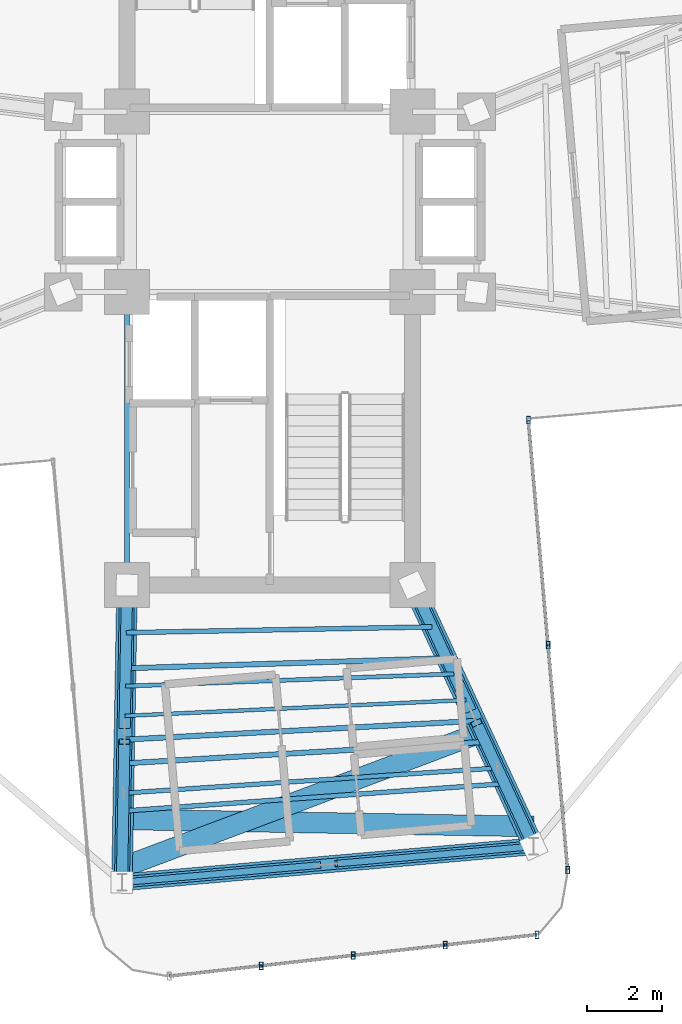
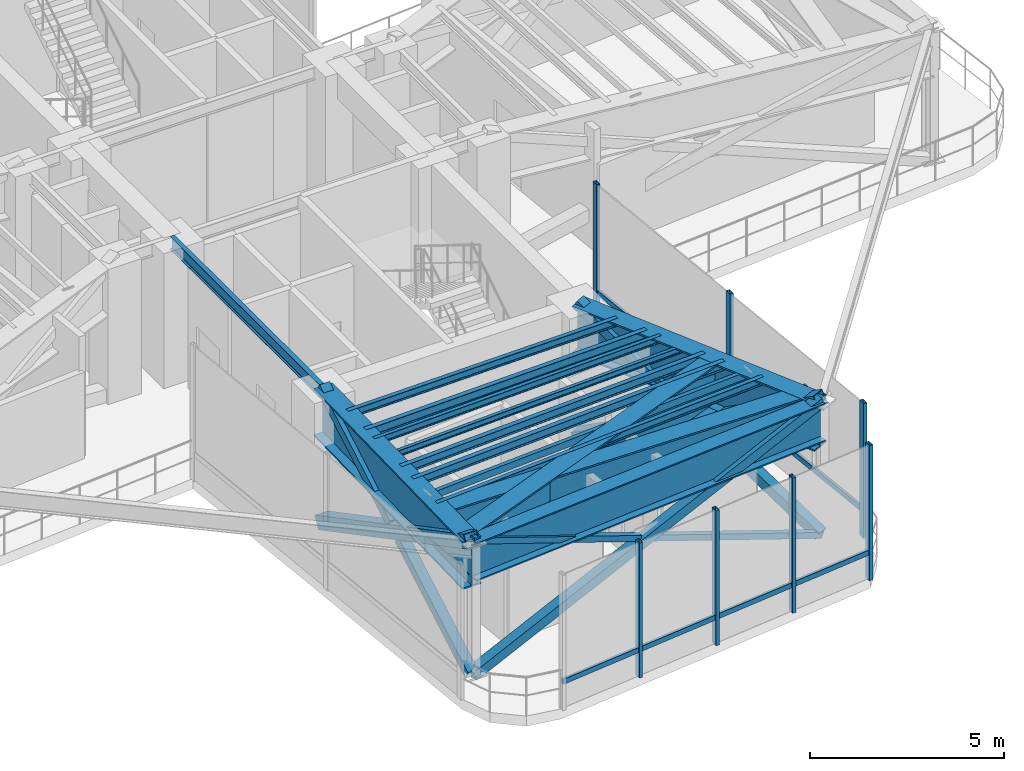
# One storey, part 4 of 17: 22 members, 14 beams, 2 elements without a shape of their own.
"""IFC4 building model written with IfcOpenShell, lengths in metres."""

from ifc_helpers import new_model, si_unit, direction, frame, origin, origin_2d, place, context, subcontext, project, spatial, hollow_rectangle, i_section, extrude, source, transform, mapped, material, material_profile, profile_set, type_object, element, aggregate, save


model = new_model("IFC4")

# Units and contexts
model_context = context("Model", 3, precision=1e-05, world=origin(), true_north=direction((0.0, 1.0)))
body_context = subcontext(model_context, "Body", "Model", "MODEL_VIEW")
ifc_project = project(units=[si_unit("LENGTHUNIT", "METRE"), si_unit("AREAUNIT", "SQUARE_METRE"), si_unit("VOLUMEUNIT", "CUBIC_METRE"), si_unit("PLANEANGLEUNIT", "RADIAN"), si_unit("MASSUNIT", "GRAM", prefix="KILO")], contexts=[model_context])

# Site, building, storey
site_placement = place(None, origin())
site = spatial("IfcSite", under=ifc_project, at=site_placement, CompositionType="ELEMENT")
building_placement = place(site_placement, origin())
building = spatial("IfcBuilding", under=site, at=building_placement, Name="Sahyath Konkavel Grand Hotel", CompositionType="ELEMENT")
storey_placement = place(building_placement, frame((0.0, 0.0, 202.0)))
storey = spatial("IfcBuildingStorey", under=building, at=storey_placement, Name="L56", CompositionType="ELEMENT", Elevation=202.0)

# Beams
ifc_material_1 = material(Name="Steel E350", Category="steel")
ifc_material_profile_1 = material_profile(ifc_material_1, i_section(OverallWidth=0.139892578125, OverallDepth=0.39990234375, WebThickness=0.0087890625, FlangeThickness=0.01611328125, FilletRadius=0.013916015625, at=origin_2d()), Name="ISMB 400")
ifc_profile_set_1 = profile_set([ifc_material_profile_1], Name="Steel E350")
beam_type_1 = type_object("IfcBeamType", Name="BM-ISMB400", PredefinedType="BEAM", material=ifc_profile_set_1)
shared_shape_1 = source(origin(), body_context, "Body", "SweptSolid", [
    extrude(i_section(OverallWidth=0.139892578125, OverallDepth=0.39990234375, WebThickness=0.0087890625, FlangeThickness=0.01611328125, FilletRadius=0.013916015625, at=origin_2d()), origin(), (0.0, 0.0, 1.0), 7.800048828125),
])
beam_1_placement = place(storey_placement, frame((-3.800048828125, -10.199951171875, 4.06005859375), z_axis=(0.0, 1.0, 0.0), x_axis=(-1.0, 0.0, 0.0)))
element("IfcBeam", 1, at=beam_1_placement, inside=storey, type_object=beam_type_1, Name="str:bm:L56:SC-W", PredefinedType="BEAM", context=body_context, shape_type="MappedRepresentation", body=[
    mapped(shared_shape_1, transform((0.0, 0.0, 0.0), scale=1.0)),
])
ifc_material_profile_2 = material_profile(ifc_material_1, i_section(OverallWidth=0.139892578125, OverallDepth=0.300048828125, WebThickness=0.0078125, FlangeThickness=0.01318359375, FilletRadius=0.013916015625, at=origin_2d()), Name="ISMB 300")
ifc_profile_set_2 = profile_set([ifc_material_profile_2], Name="Steel E350")
beam_type_2 = type_object("IfcBeamType", Name="BM-ISMB300", PredefinedType="BEAM", material=ifc_profile_set_2)
shared_shape_2 = source(origin(), body_context, "Body", "SweptSolid", [
    extrude(i_section(OverallWidth=0.139892578125, OverallDepth=0.300048828125, WebThickness=0.0078125, FlangeThickness=0.01318359375, FilletRadius=0.013916015625, at=origin_2d()), origin(), (0.0, 0.0, 1.0), 8.54443359375),
])
beam_2_placement = place(storey_placement, frame((-3.838134765625, -12.415283203125, 4.110107421875), z_axis=(0.999506849365, 0.031401561632, 0.0), x_axis=(-0.031401561632, 0.999506849365, 0.0)))
element("IfcBeam", 2, at=beam_2_placement, inside=storey, type_object=beam_type_2, Name="L56 Secondary Floor Beam S-1", PredefinedType="BEAM", context=body_context, shape_type="MappedRepresentation", body=[
    mapped(shared_shape_2, transform((0.0, 0.0, 0.0), scale=1.0)),
])
ifc_material_profile_3 = material_profile(ifc_material_1, i_section(OverallWidth=0.139892578125, OverallDepth=0.27490234375, WebThickness=0.00634765625, FlangeThickness=0.0087890625, FilletRadius=0.012939453125, at=origin_2d()), Name="ISLB 275")
ifc_profile_set_3 = profile_set([ifc_material_profile_3], Name="Steel E350")
beam_type_3 = type_object("IfcBeamType", Name="BM-ISLB275", PredefinedType="BEAM", material=ifc_profile_set_3)
shared_shape_3 = source(origin(), body_context, "Body", "SweptSolid", [
    extrude(i_section(OverallWidth=0.139892578125, OverallDepth=0.27490234375, WebThickness=0.00634765625, FlangeThickness=0.0087890625, FilletRadius=0.012939453125, at=origin_2d()), origin(), (0.0, 0.0, 1.0), 9.359375),
])
beam_3_placement = place(storey_placement, frame((-3.870849609375, -14.314208984375, 4.12255859375), z_axis=(0.998580397723, 0.053265272769, 0.0), x_axis=(-0.053265272769, 0.998580397723, 0.0)))
element("IfcBeam", 3, at=beam_3_placement, inside=storey, type_object=beam_type_3, Name="L56 Secondary Floor Beam S-2", PredefinedType="BEAM", context=body_context, shape_type="MappedRepresentation", body=[
    mapped(shared_shape_3, transform((0.0, 0.0, 0.0), scale=1.0)),
])
ifc_material_profile_4 = material_profile(ifc_material_1, i_section(OverallWidth=0.125, OverallDepth=0.25, WebThickness=0.0068359375, FlangeThickness=0.012451171875, FilletRadius=0.012939453125, at=origin_2d()), Name="ISMB 250")
ifc_profile_set_4 = profile_set([ifc_material_profile_4], Name="Steel E350")
beam_type_4 = type_object("IfcBeamType", Name="BM-ISMB250", PredefinedType="BEAM", material=ifc_profile_set_4)
shared_shape_4 = source(origin(), body_context, "Body", "SweptSolid", [
    extrude(i_section(OverallWidth=0.125, OverallDepth=0.25, WebThickness=0.0068359375, FlangeThickness=0.012451171875, FilletRadius=0.012939453125, at=origin_2d()), origin(), (0.0, 0.0, 1.0), 10.178466796875),
])
beam_4_placement = place(storey_placement, frame((-3.90380859375, -16.213134765625, 4.135009765625), z_axis=(0.997435268886, 0.071574327683, 0.0), x_axis=(-0.071574327683, 0.997435268886, 0.0)))
element("IfcBeam", 4, at=beam_4_placement, inside=storey, type_object=beam_type_4, Name="L56 Secondary Floor Beam S-3", PredefinedType="BEAM", context=body_context, shape_type="MappedRepresentation", body=[
    mapped(shared_shape_4, transform((0.0, 0.0, 0.0), scale=1.0)),
])
ifc_material_2 = material(Name="Steel E450", Category="steel")
ifc_material_profile_5 = material_profile(ifc_material_2, i_section(OverallWidth=0.550048828125, OverallDepth=1.5, WebThickness=0.028076171875, FlangeThickness=0.050048828125, at=origin_2d()), Name="BPG 1500x550")
ifc_profile_set_5 = profile_set([ifc_material_profile_5], Name="Steel E450")
beam_type_5 = type_object("IfcBeamType", Name="BM-BPG1500", PredefinedType="BEAM", material=ifc_profile_set_5)
shared_shape_5 = source(origin(), body_context, "Body", "SweptSolid", [
    extrude(i_section(OverallWidth=0.550048828125, OverallDepth=1.5, WebThickness=0.028076171875, FlangeThickness=0.050048828125, at=origin_2d()), origin(), (0.0, 0.0, 1.0), 7.913330078125),
])
beam_5_placement = place(storey_placement, frame((-3.800048828125, -10.199951171875, 3.510009765625), z_axis=(-0.017215419232, -0.999851803689, 0.0), x_axis=(0.999851803689, -0.017215419232, 0.0)))
element("IfcBeam", 5, at=beam_5_placement, inside=storey, type_object=beam_type_5, Name="L56 Setback Transfer Girder SA", PredefinedType="BEAM", context=body_context, shape_type="MappedRepresentation", body=[
    mapped(shared_shape_5, transform((0.0, 0.0, 0.0), scale=1.0)),
])
shared_shape_6 = source(origin(), body_context, "Body", "SweptSolid", [
    extrude(i_section(OverallWidth=0.550048828125, OverallDepth=1.5, WebThickness=0.028076171875, FlangeThickness=0.050048828125, at=origin_2d()), origin(), (0.0, 0.0, 1.0), 7.66357421875),
])
beam_6_placement = place(storey_placement, frame((3.800048828125, -10.199951171875, 3.510009765625), z_axis=(0.420395127561, -0.907341135804, 0.0), x_axis=(0.907341135804, 0.420395127561, 0.0)))
element("IfcBeam", 6, at=beam_6_placement, inside=storey, type_object=beam_type_5, Name="L56 Setback Transfer Girder SB", PredefinedType="BEAM", context=body_context, shape_type="MappedRepresentation", body=[
    mapped(shared_shape_6, transform((0.0, 0.0, 0.0), scale=1.0)),
])
shared_shape_7 = source(origin(), body_context, "Body", "SweptSolid", [
    extrude(i_section(OverallWidth=0.550048828125, OverallDepth=1.5, WebThickness=0.028076171875, FlangeThickness=0.050048828125, at=origin_2d()), origin(), (0.0, 0.0, 1.0), 10.200927734375),
])
beam_7_placement = place(storey_placement, frame((-3.9296875, -17.71630859375, 3.510009765625), z_axis=(0.935879914004, 0.35231915441, 0.0), x_axis=(-0.35231915441, 0.935879914004, 0.0)))
element("IfcBeam", 7, at=beam_7_placement, inside=storey, type_object=beam_type_5, Name="L56 Setback Cross Transfer Girder S-1", PredefinedType="BEAM", context=body_context, shape_type="MappedRepresentation", body=[
    mapped(shared_shape_7, transform((0.0, 0.0, 0.0), scale=1.0)),
])
shared_shape_8 = source(origin(), body_context, "Body", "SweptSolid", [
    extrude(i_section(OverallWidth=0.550048828125, OverallDepth=1.5, WebThickness=0.028076171875, FlangeThickness=0.050048828125, at=origin_2d()), origin(), (0.0, 0.0, 1.0), 10.939208984375),
])
beam_8_placement = place(storey_placement, frame((-3.907470703125, -16.43603515625, 3.510009765625), z_axis=(0.999851559685, -0.017229584912, 0.0), x_axis=(0.017229584912, 0.999851559685, 0.0)))
element("IfcBeam", 8, at=beam_8_placement, inside=storey, type_object=beam_type_5, Name="L56 Setback Cross Transfer Girder S-2", PredefinedType="BEAM", context=body_context, shape_type="MappedRepresentation", body=[
    mapped(shared_shape_8, transform((0.0, 0.0, 0.0), scale=1.0)),
])
ifc_material_profile_6 = material_profile(ifc_material_2, i_section(OverallWidth=0.449951171875, OverallDepth=1.199951171875, WebThickness=0.02197265625, FlangeThickness=0.0400390625, at=origin_2d()), Name="BPG 1200x450")
ifc_profile_set_6 = profile_set([ifc_material_profile_6], Name="Steel E450")
beam_type_6 = type_object("IfcBeamType", Name="BM-BPG1200", PredefinedType="BEAM", material=ifc_profile_set_6)
shared_shape_9 = source(origin(), body_context, "Body", "SweptSolid", [
    extrude(i_section(OverallWidth=0.449951171875, OverallDepth=1.199951171875, WebThickness=0.02197265625, FlangeThickness=0.0400390625, at=origin_2d()), origin(), (0.0, 0.0, 1.0), 10.999755859375),
])
beam_9_placement = place(storey_placement, frame((-3.936279296875, -18.112060546875, 3.659912109375), z_axis=(0.99619439202, 0.087159241098, 0.0), x_axis=(-0.087159241098, 0.99619439202, 0.0)))
element("IfcBeam", 9, at=beam_9_placement, inside=storey, type_object=beam_type_6, Name="L56 Wing Tip Edge Beam S", PredefinedType="BEAM", context=body_context, shape_type="MappedRepresentation", body=[
    mapped(shared_shape_9, transform((0.0, 0.0, 0.0), scale=1.0)),
])

# Members
ifc_material_profile_7 = material_profile(ifc_material_2, hollow_rectangle(XDim=0.39990234375, YDim=0.39990234375, WallThickness=0.02001953125, at=origin_2d()), Name="SHS 400x400x20")
ifc_profile_set_7 = profile_set([ifc_material_profile_7], Name="Steel E450")
member_type_1 = type_object("IfcMemberType", Name="BR-SHS400", PredefinedType="BRACE", material=ifc_profile_set_7)
shared_shape_10 = source(origin(), body_context, "Body", "SweptSolid", [
    extrude(hollow_rectangle(XDim=0.39990234375, YDim=0.39990234375, WallThickness=0.02001953125, at=origin_2d()), origin(), (0.0, 0.0, 1.0), 8.9775390625),
])
member_1_placement = place(storey_placement, frame((-3.800048828125, -10.199951171875, 0.010009765625), z_axis=(-0.015174462927, -0.881315402389, 0.472284762814), x_axis=(0.999851803689, -0.017215419232, 0.0)))
element("IfcMember", 10, at=member_1_placement, inside=storey, type_object=member_type_1, Name="L56 Core Outrigger Truss SA Continuous Diagonal 1", PredefinedType="BRACE", context=body_context, shape_type="MappedRepresentation", body=[
    mapped(shared_shape_10, transform((0.0, 0.0, 0.0), scale=1.0)),
])
ifc_material_profile_8 = material_profile(ifc_material_2, hollow_rectangle(XDim=0.300048828125, YDim=0.300048828125, WallThickness=0.01611328125, at=origin_2d()), Name="SHS 300x300x16")
ifc_profile_set_8 = profile_set([ifc_material_profile_8], Name="Steel E450")
member_type_2 = type_object("IfcMemberType", Name="BR-SHS300", PredefinedType="BRACE", material=ifc_profile_set_8)
shared_shape_11 = source(origin(), body_context, "Body", "SweptSolid", [
    extrude(hollow_rectangle(XDim=0.300048828125, YDim=0.300048828125, WallThickness=0.01611328125, at=origin_2d()), origin(), (0.0, 0.0, 1.0), 4.248779296875),
])
for number, where, z_axis, x_axis, name in (
    (11, (-3.936279296875, -18.112060546875, 0.010009765625), (0.015169510515, 0.881325576791, 0.472265935301), (-0.999851903803, 0.017209603769, 0.0), "L56 Core Outrigger Truss SA Split Lower Diagonal 2A"),
    (12, (-3.864501953125, -13.944580078125, 2.243408203125), (0.015169510515, 0.881325576791, 0.472265935301), (-0.999851903803, 0.017209603769, 0.0), "L56 Core Outrigger Truss SA Split Upper Diagonal 2B"),
):
    element("IfcMember", number, at=place(storey_placement, frame(where, z_axis=z_axis, x_axis=x_axis)), inside=storey, type_object=member_type_2, Name=name, PredefinedType="BRACE", context=body_context, shape_type="MappedRepresentation", body=[
        mapped(shared_shape_11, transform((0.0, 0.0, 0.0), scale=1.0)),
    ])
shared_shape_12 = source(origin(), body_context, "Body", "SweptSolid", [
    extrude(hollow_rectangle(XDim=0.39990234375, YDim=0.39990234375, WallThickness=0.02001953125, at=origin_2d()), origin(), (0.0, 0.0, 1.0), 8.75830078125),
])
member_2_placement = place(storey_placement, frame((3.800048828125, -10.199951171875, 0.010009765625), z_axis=(0.367847209231, -0.793926672183, 0.484116587051), x_axis=(0.907341135804, 0.420395127561, 0.0)))
element("IfcMember", 13, at=member_2_placement, inside=storey, type_object=member_type_1, Name="L56 Core Outrigger Truss SB Continuous Diagonal 1", PredefinedType="BRACE", context=body_context, shape_type="MappedRepresentation", body=[
    mapped(shared_shape_12, transform((0.0, 0.0, 0.0), scale=1.0)),
])
shared_shape_13 = source(origin(), body_context, "Body", "SweptSolid", [
    extrude(hollow_rectangle(XDim=0.300048828125, YDim=0.300048828125, WallThickness=0.01611328125, at=origin_2d()), origin(), (0.0, 0.0, 1.0), 4.13916015625),
])
for number, where, z_axis, x_axis, name in (
    (14, (7.021728515625, -17.1533203125, 0.010009765625), (-0.367874640481, 0.793906150533, 0.484129396997), (-0.90732503192, -0.420429882919, 0.0), "L56 Core Outrigger Truss SB Split Lower Diagonal 2A"),
    (15, (5.322509765625, -13.486083984375, 2.24609375), (-0.367823638417, 0.793923376057, 0.484139901239), (-0.907350745228, -0.420374386868, 0.0), "L56 Core Outrigger Truss SB Split Upper Diagonal 2B"),
):
    element("IfcMember", number, at=place(storey_placement, frame(where, z_axis=z_axis, x_axis=x_axis)), inside=storey, type_object=member_type_2, Name=name, PredefinedType="BRACE", context=body_context, shape_type="MappedRepresentation", body=[
        mapped(shared_shape_13, transform((0.0, 0.0, 0.0), scale=1.0)),
    ])
shared_shape_14 = source(origin(), body_context, "Body", "SweptSolid", [
    extrude(hollow_rectangle(XDim=0.300048828125, YDim=0.300048828125, WallThickness=0.01611328125, at=origin_2d()), origin(), (0.0, 0.0, 1.0), 11.788818359375),
])
member_3_placement = place(storey_placement, frame((-3.936279296875, -18.112060546875, 0.010009765625), z_axis=(0.929530906183, 0.081326705921, 0.359664095171), x_axis=(-0.087159241098, 0.99619439202, 0.0)))
element("IfcMember", 16, at=member_3_placement, inside=storey, type_object=member_type_2, Name="L56 Perimeter Belt Truss TIP-S Continuous Diagonal 1", PredefinedType="BRACE", context=body_context, shape_type="MappedRepresentation", body=[
    mapped(shared_shape_14, transform((0.0, 0.0, 0.0), scale=1.0)),
])
ifc_material_profile_9 = material_profile(ifc_material_1, hollow_rectangle(XDim=0.179931640625, YDim=0.179931640625, WallThickness=0.010009765625, at=origin_2d()), Name="SHS 180x180x10")
ifc_profile_set_9 = profile_set([ifc_material_profile_9], Name="Steel E350")
member_type_3 = type_object("IfcMemberType", Name="BR-SHS180", PredefinedType="BRACE", material=ifc_profile_set_9)
shared_shape_15 = source(origin(), body_context, "Body", "SweptSolid", [
    extrude(hollow_rectangle(XDim=0.179931640625, YDim=0.179931640625, WallThickness=0.010009765625, at=origin_2d()), origin(), (0.0, 0.0, 1.0), 5.654541015625),
])
member_4_placement = place(storey_placement, frame((7.021728515625, -17.1533203125, 0.010009765625), z_axis=(-0.929536280212, -0.081300423412, 0.35965614818), x_axis=(0.087130787637, -0.996196881066, 0.0)))
element("IfcMember", 17, at=member_4_placement, inside=storey, type_object=member_type_3, Name="L56 Perimeter Belt Truss TIP-S Split Lower Diagonal 2A", PredefinedType="BRACE", context=body_context, shape_type="MappedRepresentation", body=[
    mapped(shared_shape_15, transform((0.0, 0.0, 0.0), scale=1.0)),
])
shared_shape_16 = source(origin(), body_context, "Body", "SweptSolid", [
    extrude(hollow_rectangle(XDim=0.179931640625, YDim=0.179931640625, WallThickness=0.010009765625, at=origin_2d()), origin(), (0.0, 0.0, 1.0), 5.654296875),
])
member_5_placement = place(storey_placement, frame((1.319580078125, -17.652099609375, 2.21630859375), z_axis=(-0.929527145574, -0.081346578515, 0.359669320078), x_axis=(0.087180727075, -0.996192511931, 0.0)))
element("IfcMember", 18, at=member_5_placement, inside=storey, type_object=member_type_3, Name="L56 Perimeter Belt Truss TIP-S Split Upper Diagonal 2B", PredefinedType="BRACE", context=body_context, shape_type="MappedRepresentation", body=[
    mapped(shared_shape_16, transform((0.0, 0.0, 0.0), scale=1.0)),
])

# Beams
shared_shape_17 = source(origin(), body_context, "Body", "SweptSolid", [
    extrude(i_section(OverallWidth=0.125, OverallDepth=0.25, WebThickness=0.0068359375, FlangeThickness=0.012451171875, FilletRadius=0.012939453125, at=origin_2d()), origin(), (0.0, 0.0, 1.0), 8.138671875),
])
beam_10_placement = place(storey_placement, frame((-3.82177734375, -11.4658203125, 4.135009765625), z_axis=(0.99982253895, 0.018838540488, 0.0), x_axis=(-0.018838540488, 0.99982253895, 0.0)))
element("IfcBeam", 19, at=beam_10_placement, inside=storey, type_object=beam_type_4, Name="L56 Composite Deck Sub-Beam S-1", PredefinedType="BEAM", context=body_context, shape_type="MappedRepresentation", body=[
    mapped(shared_shape_17, transform((0.0, 0.0, 0.0), scale=1.0)),
])
ifc_material_profile_10 = material_profile(ifc_material_1, i_section(OverallWidth=0.110107421875, OverallDepth=0.22509765625, WebThickness=0.006591796875, FlangeThickness=0.01171875, FilletRadius=0.011962890625, at=origin_2d()), Name="ISMB 225")
ifc_profile_set_10 = profile_set([ifc_material_profile_10], Name="Steel E350")
beam_type_7 = type_object("IfcBeamType", Name="BM-ISMB225", PredefinedType="BEAM", material=ifc_profile_set_10)
shared_shape_18 = source(origin(), body_context, "Body", "SweptSolid", [
    extrude(i_section(OverallWidth=0.110107421875, OverallDepth=0.22509765625, WebThickness=0.006591796875, FlangeThickness=0.01171875, FilletRadius=0.011962890625, at=origin_2d()), origin(), (0.0, 0.0, 1.0), 8.748046875),
])
beam_11_placement = place(storey_placement, frame((-3.846435546875, -12.89013671875, 4.1474609375), z_axis=(0.999305704761, 0.037257327223, 0.0), x_axis=(-0.037257327223, 0.999305704761, 0.0)))
element("IfcBeam", 20, at=beam_11_placement, inside=storey, type_object=beam_type_7, Name="L56 Composite Deck Sub-Beam S-2", PredefinedType="BEAM", context=body_context, shape_type="MappedRepresentation", body=[
    mapped(shared_shape_18, transform((0.0, 0.0, 0.0), scale=1.0)),
])
ifc_material_profile_11 = material_profile(ifc_material_1, i_section(OverallWidth=0.10009765625, OverallDepth=0.199951171875, WebThickness=0.005615234375, FlangeThickness=0.0107421875, FilletRadius=0.010986328125, at=origin_2d()), Name="ISMB 200")
ifc_profile_set_11 = profile_set([ifc_material_profile_11], Name="Steel E350")
beam_type_8 = type_object("IfcBeamType", Name="BM-ISMB200", PredefinedType="BEAM", material=ifc_profile_set_11)
shared_shape_19 = source(origin(), body_context, "Body", "SweptSolid", [
    extrude(i_section(OverallWidth=0.10009765625, OverallDepth=0.199951171875, WebThickness=0.005615234375, FlangeThickness=0.0107421875, FilletRadius=0.010986328125, at=origin_2d()), origin(), (0.0, 0.0, 1.0), 9.08740234375),
])
beam_12_placement = place(storey_placement, frame((-3.860107421875, -13.681396484375, 4.159912109375), z_axis=(0.998921825199, 0.046423993167, 0.0), x_axis=(-0.046423993167, 0.998921825199, 0.0)))
element("IfcBeam", 21, at=beam_12_placement, inside=storey, type_object=beam_type_8, Name="L56 Composite Deck Sub-Beam S-3", PredefinedType="BEAM", context=body_context, shape_type="MappedRepresentation", body=[
    mapped(shared_shape_19, transform((0.0, 0.0, 0.0), scale=1.0)),
])
shared_shape_20 = source(origin(), body_context, "Body", "SweptSolid", [
    extrude(i_section(OverallWidth=0.139892578125, OverallDepth=0.27490234375, WebThickness=0.00634765625, FlangeThickness=0.0087890625, FilletRadius=0.012939453125, at=origin_2d()), origin(), (0.0, 0.0, 1.0), 9.6318359375),
])
beam_13_placement = place(storey_placement, frame((-3.8818359375, -14.947265625, 4.12255859375), z_axis=(0.998215316487, 0.059717517791, 0.0), x_axis=(-0.059717517791, 0.998215316487, 0.0)))
element("IfcBeam", 22, at=beam_13_placement, inside=storey, type_object=beam_type_3, Name="L56 Composite Deck Sub-Beam S-4", PredefinedType="BEAM", context=body_context, shape_type="MappedRepresentation", body=[
    mapped(shared_shape_20, transform((0.0, 0.0, 0.0), scale=1.0)),
])
ifc_material_profile_12 = material_profile(ifc_material_1, hollow_rectangle(XDim=0.1201171875, YDim=0.219970703125, WallThickness=0.010009765625, at=origin_2d()), Name="RHS 220x120x10")
ifc_profile_set_12 = profile_set([ifc_material_profile_12], Name="Steel E350")
beam_type_9 = type_object("IfcBeamType", Name="BM-RHS220", PredefinedType="BEAM", material=ifc_profile_set_12)
shared_shape_21 = source(origin(), body_context, "Body", "SweptSolid", [
    extrude(hollow_rectangle(XDim=0.1201171875, YDim=0.219970703125, WallThickness=0.010009765625, at=origin_2d()), origin(), (0.0, 0.0, 1.0), 9.973388671875),
])
beam_14_placement = place(storey_placement, frame((-3.8955078125, -15.73828125, 4.14990234375), z_axis=(0.997734833375, 0.067269623684, 0.0), x_axis=(-0.067269623684, 0.997734833375, 0.0)))
element("IfcBeam", 23, at=beam_14_placement, inside=storey, type_object=beam_type_9, Name="L56 Composite Deck Sub-Beam S-5", PredefinedType="BEAM", context=body_context, shape_type="MappedRepresentation", body=[
    mapped(shared_shape_21, transform((0.0, 0.0, 0.0), scale=1.0)),
])

# Curtain wall, members
ifc_material_3 = material(Name="Anodised Bronze Aluminium & Low-E Glazing", Category="aluminium")
curtain_wall_type = type_object("IfcCurtainWallType", Name="CW-SKYLOBBY", PredefinedType="NOTDEFINED", material=ifc_material_3)
curtain_wall_1_placement = place(storey_placement, origin())
curtain_wall_1 = element("IfcCurtainWall", 24, at=curtain_wall_1_placement, inside=storey, type_object=curtain_wall_type, Name="L56 Unitised Curtain Wall RF28", PredefinedType="NOTDEFINED")
ifc_material_4 = material(Name="Anodised Bronze Aluminium", Category="aluminium")
ifc_material_profile_13 = material_profile(ifc_material_4, hollow_rectangle(XDim=0.10009765625, YDim=0.199951171875, WallThickness=0.008056640625, at=origin_2d()), Name="RHS 200x100x8")
ifc_profile_set_13 = profile_set([ifc_material_profile_13], Name="Anodised Bronze Aluminium")
member_type_4 = type_object("IfcMemberType", Name="CW-MUL-200", PredefinedType="MULLION", material=ifc_profile_set_13)
shared_shape_22 = source(origin(), body_context, "Body", "SweptSolid", [
    extrude(hollow_rectangle(XDim=0.10009765625, YDim=0.199951171875, WallThickness=0.008056640625, at=origin_2d()), origin(), (0.0, 0.0, 1.0), 4.260009765625),
])
member_6_placement = place(storey_placement, frame((-0.227294921875, -20.334716796875, 0.0), z_axis=(0.0, 0.0, 1.0), x_axis=(1.0, 0.0, 0.0)))
member_6 = element("IfcMember", 25, at=member_6_placement, type_object=member_type_4, Name="L56 Curtain Wall Mullion RF28-1", PredefinedType="MULLION", context=body_context, shape_type="MappedRepresentation", body=[
    mapped(shared_shape_22, transform((0.0, 0.0, 0.0), scale=1.0)),
])
member_7_placement = place(storey_placement, frame((2.21923828125, -20.05908203125, 0.0), z_axis=(0.0, 0.0, 1.0), x_axis=(1.0, 0.0, 0.0)))
member_7 = element("IfcMember", 26, at=member_7_placement, type_object=member_type_4, Name="L56 Curtain Wall Mullion RF28-2", PredefinedType="MULLION", context=body_context, shape_type="MappedRepresentation", body=[
    mapped(shared_shape_22, transform((0.0, 0.0, 0.0), scale=1.0)),
])
member_8_placement = place(storey_placement, frame((4.665771484375, -19.783203125, 0.0), z_axis=(0.0, 0.0, 1.0), x_axis=(1.0, 0.0, 0.0)))
member_8 = element("IfcMember", 27, at=member_8_placement, type_object=member_type_4, Name="L56 Curtain Wall Mullion RF28-3", PredefinedType="MULLION", context=body_context, shape_type="MappedRepresentation", body=[
    mapped(shared_shape_22, transform((0.0, 0.0, 0.0), scale=1.0)),
])
member_9_placement = place(storey_placement, frame((7.1123046875, -19.507568359375, 0.0), z_axis=(0.0, 0.0, 1.0), x_axis=(1.0, 0.0, 0.0)))
member_9 = element("IfcMember", 28, at=member_9_placement, type_object=member_type_4, Name="L56 Curtain Wall Mullion RF28-4", PredefinedType="MULLION", context=body_context, shape_type="MappedRepresentation", body=[
    mapped(shared_shape_22, transform((0.0, 0.0, 0.0), scale=1.0)),
])

curtain_wall_2_placement = place(storey_placement, origin())
curtain_wall_2 = element("IfcCurtainWall", 29, at=curtain_wall_2_placement, inside=storey, type_object=curtain_wall_type, Name="L56 Unitised Curtain Wall RF31", PredefinedType="NOTDEFINED")
member_10_placement = place(storey_placement, frame((7.930419921875, -17.78662109375, 0.0), z_axis=(0.0, 0.0, 1.0), x_axis=(1.0, 0.0, 0.0)))
member_10 = element("IfcMember", 30, at=member_10_placement, type_object=member_type_4, Name="L56 Curtain Wall Mullion RF31-0", PredefinedType="MULLION", context=body_context, shape_type="MappedRepresentation", body=[
    mapped(shared_shape_22, transform((0.0, 0.0, 0.0), scale=1.0)),
])
member_11_placement = place(storey_placement, frame((7.406494140625, -11.79931640625, 0.0), z_axis=(0.0, 0.0, 1.0), x_axis=(1.0, 0.0, 0.0)))
member_11 = element("IfcMember", 31, at=member_11_placement, type_object=member_type_4, Name="L56 Curtain Wall Mullion RF31-1", PredefinedType="MULLION", context=body_context, shape_type="MappedRepresentation", body=[
    mapped(shared_shape_22, transform((0.0, 0.0, 0.0), scale=1.0)),
])
member_12_placement = place(storey_placement, frame((6.8828125, -5.812255859375, 0.0), z_axis=(0.0, 0.0, 1.0), x_axis=(1.0, 0.0, 0.0)))
member_12 = element("IfcMember", 32, at=member_12_placement, type_object=member_type_4, Name="L56 Curtain Wall Mullion RF31-2", PredefinedType="MULLION", context=body_context, shape_type="MappedRepresentation", body=[
    mapped(shared_shape_22, transform((0.0, 0.0, 0.0), scale=1.0)),
])

# Member
ifc_material_profile_14 = material_profile(ifc_material_4, hollow_rectangle(XDim=0.080078125, YDim=0.159912109375, WallThickness=0.006103515625, at=origin_2d()), Name="RHS 160x80x6")
ifc_profile_set_14 = profile_set([ifc_material_profile_14], Name="Anodised Bronze Aluminium")
member_type_5 = type_object("IfcMemberType", Name="CW-TRN-160", PredefinedType="USERDEFINED", material=ifc_profile_set_14)
shared_shape_23 = source(origin(), body_context, "Body", "SweptSolid", [
    extrude(hollow_rectangle(XDim=0.080078125, YDim=0.159912109375, WallThickness=0.006103515625, at=origin_2d()), origin(), (0.0, 0.0, 1.0), 2.462158203125),
])
member_13_placement = place(storey_placement, frame((-2.673828125, -20.610595703125, 0.85009765625), z_axis=(0.99370222711, 0.112053040279, 0.0), x_axis=(-0.112053040279, 0.99370222711, 0.0)))
member_13 = element("IfcMember", 33, at=member_13_placement, type_object=member_type_5, Name="L56 Curtain Wall Transom RF28-0-spandrel", ObjectType="TRANSOM", PredefinedType="USERDEFINED", context=body_context, shape_type="MappedRepresentation", body=[
    mapped(shared_shape_23, transform((0.0, 0.0, 0.0), scale=1.0)),
])

member_14_placement = place(storey_placement, frame((2.21923828125, -20.05908203125, 0.85009765625), z_axis=(0.99370222711, 0.112053040279, 0.0), x_axis=(-0.112053040279, 0.99370222711, 0.0)))
member_14 = element("IfcMember", 34, at=member_14_placement, type_object=member_type_5, Name="L56 Curtain Wall Transom RF28-2-spandrel", ObjectType="TRANSOM", PredefinedType="USERDEFINED", context=body_context, shape_type="MappedRepresentation", body=[
    mapped(shared_shape_23, transform((0.0, 0.0, 0.0), scale=1.0)),
])

shared_shape_24 = source(origin(), body_context, "Body", "SweptSolid", [
    extrude(hollow_rectangle(XDim=0.080078125, YDim=0.159912109375, WallThickness=0.006103515625, at=origin_2d()), origin(), (0.0, 0.0, 1.0), 2.4619140625),
])
member_15_placement = place(storey_placement, frame((-0.227294921875, -20.334716796875, 0.85009765625), z_axis=(0.993713263833, 0.111955121731, 0.0), x_axis=(-0.111955121731, 0.993713263833, 0.0)))
member_15 = element("IfcMember", 35, at=member_15_placement, type_object=member_type_5, Name="L56 Curtain Wall Transom RF28-1-spandrel", ObjectType="TRANSOM", PredefinedType="USERDEFINED", context=body_context, shape_type="MappedRepresentation", body=[
    mapped(shared_shape_24, transform((0.0, 0.0, 0.0), scale=1.0)),
])

member_16_placement = place(storey_placement, frame((4.665771484375, -19.783203125, 0.85009765625), z_axis=(0.993713263833, 0.111955121731, 0.0), x_axis=(-0.111955121731, 0.993713263833, 0.0)))
member_16 = element("IfcMember", 36, at=member_16_placement, type_object=member_type_5, Name="L56 Curtain Wall Transom RF28-3-spandrel", ObjectType="TRANSOM", PredefinedType="USERDEFINED", context=body_context, shape_type="MappedRepresentation", body=[
    mapped(shared_shape_24, transform((0.0, 0.0, 0.0), scale=1.0)),
])

aggregate(curtain_wall_1, [member_6, member_7, member_8, member_9, member_13, member_15, member_14, member_16])

shared_shape_25 = source(origin(), body_context, "Body", "SweptSolid", [
    extrude(hollow_rectangle(XDim=0.080078125, YDim=0.159912109375, WallThickness=0.006103515625, at=origin_2d()), origin(), (0.0, 0.0, 1.0), 6.01025390625),
])
member_17_placement = place(storey_placement, frame((7.930419921875, -17.78662109375, 0.85009765625), z_axis=(-0.087172997156, 0.996193188376, 0.0), x_axis=(-0.996193188376, -0.087172997156, 0.0)))
member_17 = element("IfcMember", 37, at=member_17_placement, type_object=member_type_5, Name="L56 Curtain Wall Transom RF31-0-spandrel", ObjectType="TRANSOM", PredefinedType="USERDEFINED", context=body_context, shape_type="MappedRepresentation", body=[
    mapped(shared_shape_25, transform((0.0, 0.0, 0.0), scale=1.0)),
])

shared_shape_26 = source(origin(), body_context, "Body", "SweptSolid", [
    extrude(hollow_rectangle(XDim=0.080078125, YDim=0.159912109375, WallThickness=0.006103515625, at=origin_2d()), origin(), (0.0, 0.0, 1.0), 6.010009765625),
])
member_18_placement = place(storey_placement, frame((7.406494140625, -11.79931640625, 0.85009765625), z_axis=(-0.087136210597, 0.996196406741, 0.0), x_axis=(-0.996196406741, -0.087136210597, 0.0)))
member_18 = element("IfcMember", 38, at=member_18_placement, type_object=member_type_5, Name="L56 Curtain Wall Transom RF31-1-spandrel", ObjectType="TRANSOM", PredefinedType="USERDEFINED", context=body_context, shape_type="MappedRepresentation", body=[
    mapped(shared_shape_26, transform((0.0, 0.0, 0.0), scale=1.0)),
])

aggregate(curtain_wall_2, [member_10, member_11, member_12, member_17, member_18])

save(model, "model.ifc")
